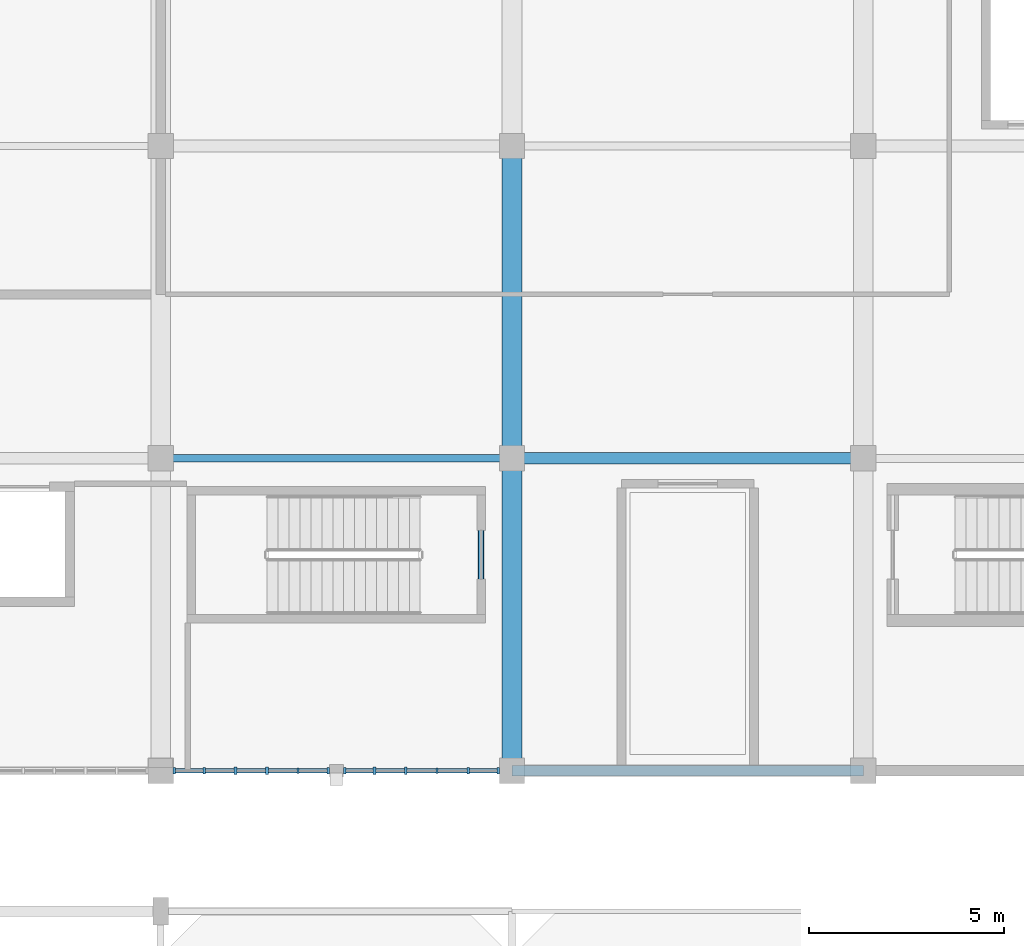
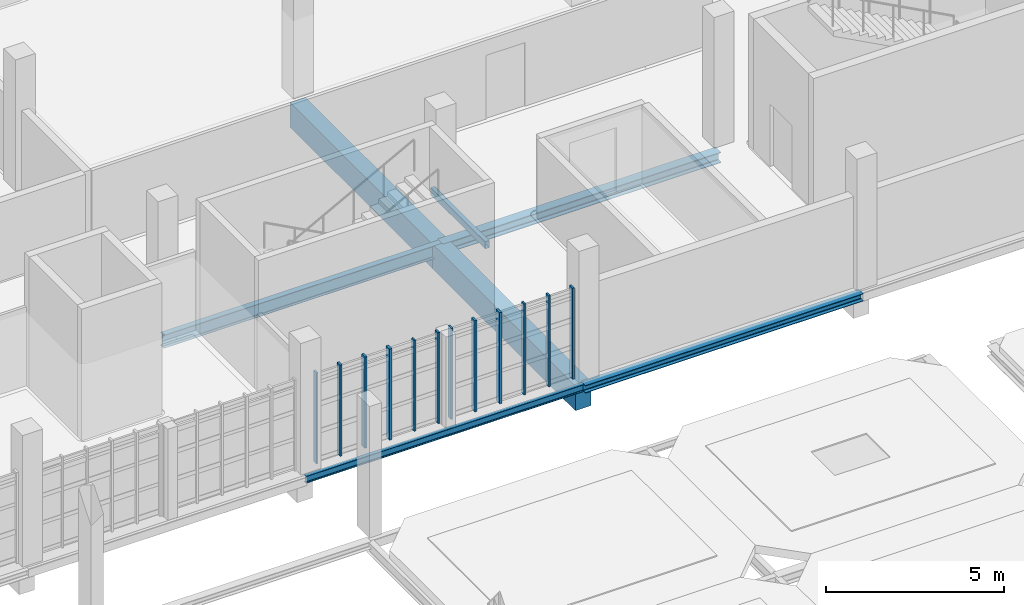
# One storey, part 26 of 125: 12 members, 7 beams, 2 elements without a shape of their own.
"""IFC4 building model written with IfcOpenShell, lengths in metres."""

from ifc_helpers import new_model, si_unit, direction, frame, origin, origin_2d, place, context, subcontext, project, spatial, rectangle, hollow_rectangle, i_section, extrude, material, material_profile, profile_set, type_object, element, aggregate, save


model = new_model("IFC4")

# Units and contexts
model_context = context("Model", 3, precision=1e-05, world=origin(), true_north=direction((0.0, 1.0)))
body_context = subcontext(model_context, "Body", "Model", "MODEL_VIEW")
ifc_project = project(units=[si_unit("LENGTHUNIT", "METRE"), si_unit("AREAUNIT", "SQUARE_METRE"), si_unit("VOLUMEUNIT", "CUBIC_METRE"), si_unit("PLANEANGLEUNIT", "RADIAN"), si_unit("MASSUNIT", "GRAM", prefix="KILO")], contexts=[model_context])

# Site, building, storey
site_placement = place(None, origin())
site = spatial("IfcSite", under=ifc_project, at=site_placement, CompositionType="ELEMENT")
building_placement = place(site_placement, origin())
building = spatial("IfcBuilding", under=site, at=building_placement, Name="Serraforn Aerial Cableway Station", CompositionType="ELEMENT")
storey_placement = place(building_placement, frame((0.0, 0.0, 4.5)))
storey = spatial("IfcBuildingStorey", under=building, at=storey_placement, Name="L01", CompositionType="ELEMENT", Elevation=4.5)

# Beams
ifc_material_1 = material(Name="Concrete C35/45", Category="concrete")
ifc_material_profile_1 = material_profile(ifc_material_1, rectangle(XDim=0.5, YDim=0.85009765625, at=origin_2d()), Name="RC 500x850")
ifc_profile_set_1 = profile_set([ifc_material_profile_1], Name="Concrete C35/45")
beam_type_1 = type_object("IfcBeamType", Name="BM-RC-500x850", PredefinedType="USERDEFINED", material=ifc_profile_set_1)
for number, where, z_axis, x_axis, name in (
    (1, (72.60009765625, 18.0, -0.7451171875), (0.0, 1.0, 0.0), (-1.0, 0.0, 0.0), "Grid Girder Y CV L01 X6-1"),
    (2, (72.60009765625, 26.0, -0.7451171875), (0.0, 1.0, 0.0), (-1.0, 0.0, 0.0), "Grid Girder Y CV L01 X6-2"),
):
    element("IfcBeam", number, at=place(storey_placement, frame(where, z_axis=z_axis, x_axis=x_axis)), inside=storey, type_object=beam_type_1, Name=name, ObjectType="GIRDER", PredefinedType="USERDEFINED", context=body_context, shape_type="SweptSolid", body=[
        extrude(rectangle(XDim=0.5, YDim=0.85009765625, at=origin_2d()), origin(), (0.0, 0.0, 1.0), 8.0),
    ])
ifc_material_2 = material(Name="Steel S355J2", Category="steel")
ifc_material_profile_2 = material_profile(ifc_material_2, i_section(OverallWidth=0.260009765625, OverallDepth=0.260009765625, WebThickness=0.010009765625, FlangeThickness=0.017578125, FilletRadius=0.02392578125, at=origin_2d()), Name="HEB 260")
ifc_profile_set_2 = profile_set([ifc_material_profile_2], Name="Steel S355J2")
beam_type_2 = type_object("IfcBeamType", Name="BM-ST-HEB260", PredefinedType="BEAM", material=ifc_profile_set_2)
beam_1_placement = place(storey_placement, frame((72.60009765625, 18.0, -0.449951171875), z_axis=(1.0, 0.0, 0.0), x_axis=(0.0, 1.0, 0.0)))
element("IfcBeam", 3, at=beam_1_placement, inside=storey, type_object=beam_type_2, Name="Grid Girder X CV L01 Y1-6", PredefinedType="BEAM", context=body_context, shape_type="SweptSolid", body=[
    extrude(i_section(OverallWidth=0.260009765625, OverallDepth=0.260009765625, WebThickness=0.010009765625, FlangeThickness=0.017578125, FilletRadius=0.02392578125, at=origin_2d()), origin(), (0.0, 0.0, 1.0), 9.0),
])
ifc_material_profile_3 = material_profile(ifc_material_2, i_section(OverallWidth=0.300048828125, OverallDepth=0.360107421875, WebThickness=0.012451171875, FlangeThickness=0.0224609375, FilletRadius=0.027099609375, at=origin_2d()), Name="HEB 360")
ifc_profile_set_3 = profile_set([ifc_material_profile_3], Name="Steel S355J2")
beam_type_3 = type_object("IfcBeamType", Name="BM-ST-HEB360", PredefinedType="USERDEFINED", material=ifc_profile_set_3)
beam_2_placement = place(storey_placement, frame((72.60009765625, 26.0, -0.5), z_axis=(1.0, 0.0, 0.0), x_axis=(0.0, 1.0, 0.0)))
element("IfcBeam", 4, at=beam_2_placement, inside=storey, type_object=beam_type_3, Name="Grid Girder X CV L01 Y2-6", ObjectType="GIRDER", PredefinedType="USERDEFINED", context=body_context, shape_type="SweptSolid", body=[
    extrude(i_section(OverallWidth=0.300048828125, OverallDepth=0.360107421875, WebThickness=0.012451171875, FlangeThickness=0.0224609375, FilletRadius=0.027099609375, at=origin_2d()), origin(), (0.0, 0.0, 1.0), 9.0),
])
ifc_material_3 = material(Name="Steel S355JR", Category="steel")
ifc_material_profile_4 = material_profile(ifc_material_3, i_section(OverallWidth=0.1201171875, OverallDepth=0.239990234375, WebThickness=0.006103515625, FlangeThickness=0.009765625, FilletRadius=0.014892578125, at=origin_2d()), Name="IPE 240")
ifc_profile_set_4 = profile_set([ifc_material_profile_4], Name="Steel S355JR")
beam_type_4 = type_object("IfcBeamType", Name="BM-ST-IPE240", PredefinedType="SPANDREL", material=ifc_profile_set_4)
beam_3_placement = place(storey_placement, frame((63.60009765625, 18.0, -0.43994140625), z_axis=(1.0, 0.0, 0.0), x_axis=(0.0, 1.0, 0.0)))
element("IfcBeam", 5, at=beam_3_placement, inside=storey, type_object=beam_type_4, Name="Grid Girder X CV L01 Y1-5", PredefinedType="SPANDREL", context=body_context, shape_type="SweptSolid", body=[
    extrude(i_section(OverallWidth=0.1201171875, OverallDepth=0.239990234375, WebThickness=0.006103515625, FlangeThickness=0.009765625, FilletRadius=0.014892578125, at=origin_2d()), origin(), (0.0, 0.0, 1.0), 9.0),
])
ifc_material_profile_5 = material_profile(ifc_material_3, i_section(OverallWidth=0.18994140625, OverallDepth=0.449951171875, WebThickness=0.009521484375, FlangeThickness=0.0146484375, FilletRadius=0.02099609375, at=origin_2d()), Name="IPE 450")
ifc_profile_set_5 = profile_set([ifc_material_profile_5], Name="Steel S355JR")
beam_type_5 = type_object("IfcBeamType", Name="BM-ST-IPE450", PredefinedType="BEAM", material=ifc_profile_set_5)
beam_4_placement = place(storey_placement, frame((63.60009765625, 26.0, -0.544921875), z_axis=(1.0, 0.0, 0.0), x_axis=(0.0, 1.0, 0.0)))
element("IfcBeam", 6, at=beam_4_placement, inside=storey, type_object=beam_type_5, Name="Grid Girder X CV L01 Y2-5", PredefinedType="BEAM", context=body_context, shape_type="SweptSolid", body=[
    extrude(i_section(OverallWidth=0.18994140625, OverallDepth=0.449951171875, WebThickness=0.009521484375, FlangeThickness=0.0146484375, FilletRadius=0.02099609375, at=origin_2d()), origin(), (0.0, 0.0, 1.0), 9.0),
])
ifc_material_profile_6 = material_profile(ifc_material_2, hollow_rectangle(XDim=0.14990234375, YDim=0.25, WallThickness=0.010009765625, InnerFilletRadius=0.010009765625, OuterFilletRadius=0.02001953125, at=origin_2d()), Name="RHS 250x150x10.0")
ifc_profile_set_6 = profile_set([ifc_material_profile_6], Name="Steel S355J2")
beam_type_6 = type_object("IfcBeamType", Name="BM-ST-RHS250", PredefinedType="LINTEL", material=ifc_profile_set_6)
beam_5_placement = place(storey_placement, frame((71.81005859375, 25.06005859375, 2.27490234375), z_axis=(0.0, -1.0, 0.0), x_axis=(1.0, 0.0, 0.0)))
element("IfcBeam", 7, at=beam_5_placement, inside=storey, type_object=beam_type_6, Name="Stair Core Door Lintel D-S24", PredefinedType="LINTEL", context=body_context, shape_type="SweptSolid", body=[
    extrude(hollow_rectangle(XDim=0.14990234375, YDim=0.25, WallThickness=0.010009765625, InnerFilletRadius=0.010009765625, OuterFilletRadius=0.02001953125, at=origin_2d()), origin(), (0.0, 0.0, 1.0), 3.06005859375),
])

# Curtain wall, member
ifc_material_4 = material(Name="Anodised bronze unitised curtain wall")
curtain_wall_type_1 = type_object("IfcCurtainWallType", Name="CW-SYS-25", PredefinedType="USERDEFINED", material=ifc_material_4)
curtain_wall_1_placement = place(storey_placement, origin())
curtain_wall_1 = element("IfcCurtainWall", 8, at=curtain_wall_1_placement, inside=storey, type_object=curtain_wall_type_1, Name="Unitised Curtain Wall CW-CV-L01-S5A", ObjectType="UNITISED CURTAIN WALL", PredefinedType="USERDEFINED")
ifc_material_5 = material(Name="Anodised bronze extruded aluminium", Category="aluminium")
ifc_material_profile_7 = material_profile(ifc_material_5, rectangle(XDim=0.054931640625, YDim=0.139892578125, at=origin_2d()), Name="CW MULLION 55x140")
ifc_profile_set_7 = profile_set([ifc_material_profile_7], Name="Anodised bronze extruded aluminium")
member_type_1 = type_object("IfcMemberType", Name="CW-MUL-1", PredefinedType="MULLION", material=ifc_profile_set_7)
member_1_placement = place(storey_placement, frame((67.12060546875, 18.0, 0.0), z_axis=(0.0, 0.0, 1.0), x_axis=(1.0, 0.0, 0.0)))
member_1 = element("IfcMember", 9, at=member_1_placement, type_object=member_type_1, Name="Curtain Wall Mullion CW-CV-L01-S5A-M5", PredefinedType="MULLION", context=body_context, shape_type="SweptSolid", body=[
    extrude(rectangle(XDim=0.054931640625, YDim=0.139892578125, at=origin_2d()), origin(), (0.0, 0.0, 1.0), 3.1201171875),
])

curtain_wall_type_2 = type_object("IfcCurtainWallType", Name="CW-SYS-26", PredefinedType="USERDEFINED", material=ifc_material_4)
curtain_wall_2_placement = place(storey_placement, origin())
curtain_wall_2 = element("IfcCurtainWall", 10, at=curtain_wall_2_placement, inside=storey, type_object=curtain_wall_type_2, Name="Unitised Curtain Wall CW-CV-L01-S5B", ObjectType="UNITISED CURTAIN WALL", PredefinedType="USERDEFINED")
member_2_placement = place(storey_placement, frame((70.67822265625, 18.0, 0.0), z_axis=(0.0, 0.0, 1.0), x_axis=(1.0, 0.0, 0.0)))
member_2 = element("IfcMember", 11, at=member_2_placement, type_object=member_type_1, Name="Curtain Wall Mullion CW-CV-L01-S5B-M4", PredefinedType="MULLION", context=body_context, shape_type="SweptSolid", body=[
    extrude(rectangle(XDim=0.054931640625, YDim=0.139892578125, at=origin_2d()), origin(), (0.0, 0.0, 1.0), 3.1201171875),
])

# Member
ifc_material_profile_8 = material_profile(ifc_material_5, rectangle(XDim=0.06005859375, YDim=0.159912109375, at=origin_2d()), Name="CW MULLION 60x160")
ifc_profile_set_8 = profile_set([ifc_material_profile_8], Name="Anodised bronze extruded aluminium")
member_type_2 = type_object("IfcMemberType", Name="CW-MUL-2", PredefinedType="MULLION", material=ifc_profile_set_8)
member_3_placement = place(storey_placement, frame((63.952880859375, 18.0, 0.0), z_axis=(0.0, 0.0, 1.0), x_axis=(1.0, 0.0, 0.0)))
member_3 = element("IfcMember", 12, at=member_3_placement, type_object=member_type_2, Name="Curtain Wall Mullion CW-CV-L01-S5A-M1", PredefinedType="MULLION", context=body_context, shape_type="SweptSolid", body=[
    extrude(rectangle(XDim=0.06005859375, YDim=0.159912109375, at=origin_2d()), origin(), (0.0, 0.0, 1.0), 3.1201171875),
])

member_4_placement = place(storey_placement, frame((67.889892578125, 18.0, 0.0), z_axis=(0.0, 0.0, 1.0), x_axis=(1.0, 0.0, 0.0)))
member_4 = element("IfcMember", 13, at=member_4_placement, type_object=member_type_2, Name="Curtain Wall Mullion CW-CV-L01-S5A-M6", PredefinedType="MULLION", context=body_context, shape_type="SweptSolid", body=[
    extrude(rectangle(XDim=0.06005859375, YDim=0.159912109375, at=origin_2d()), origin(), (0.0, 0.0, 1.0), 3.1201171875),
])

member_5_placement = place(storey_placement, frame((71.4775390625, 18.0, 0.0), z_axis=(0.0, 0.0, 1.0), x_axis=(1.0, 0.0, 0.0)))
member_5 = element("IfcMember", 14, at=member_5_placement, type_object=member_type_2, Name="Curtain Wall Mullion CW-CV-L01-S5B-M5", PredefinedType="MULLION", context=body_context, shape_type="SweptSolid", body=[
    extrude(rectangle(XDim=0.06005859375, YDim=0.159912109375, at=origin_2d()), origin(), (0.0, 0.0, 1.0), 3.1201171875),
])

ifc_material_profile_9 = material_profile(ifc_material_5, rectangle(XDim=0.06494140625, YDim=0.175048828125, at=origin_2d()), Name="CW MULLION 65x175")
ifc_profile_set_9 = profile_set([ifc_material_profile_9], Name="Anodised bronze extruded aluminium")
member_type_3 = type_object("IfcMemberType", Name="CW-MUL-3", PredefinedType="MULLION", material=ifc_profile_set_9)
member_6_placement = place(storey_placement, frame((64.722412109375, 18.0, 0.0), z_axis=(0.0, 0.0, 1.0), x_axis=(1.0, 0.0, 0.0)))
member_6 = element("IfcMember", 15, at=member_6_placement, type_object=member_type_3, Name="Curtain Wall Mullion CW-CV-L01-S5A-M2", PredefinedType="MULLION", context=body_context, shape_type="SweptSolid", body=[
    extrude(rectangle(XDim=0.06494140625, YDim=0.175048828125, at=origin_2d()), origin(), (0.0, 0.0, 1.0), 3.1201171875),
])

member_7_placement = place(storey_placement, frame((68.3125, 18.0, 0.0), z_axis=(0.0, 0.0, 1.0), x_axis=(1.0, 0.0, 0.0)))
member_7 = element("IfcMember", 16, at=member_7_placement, type_object=member_type_3, Name="Curtain Wall Mullion CW-CV-L01-S5B-M1", PredefinedType="MULLION", context=body_context, shape_type="SweptSolid", body=[
    extrude(rectangle(XDim=0.06494140625, YDim=0.175048828125, at=origin_2d()), origin(), (0.0, 0.0, 1.0), 3.1201171875),
])

member_8_placement = place(storey_placement, frame((72.244384765625, 18.0, 0.0), z_axis=(0.0, 0.0, 1.0), x_axis=(1.0, 0.0, 0.0)))
member_8 = element("IfcMember", 17, at=member_8_placement, type_object=member_type_3, Name="Curtain Wall Mullion CW-CV-L01-S5B-M6", PredefinedType="MULLION", context=body_context, shape_type="SweptSolid", body=[
    extrude(rectangle(XDim=0.06494140625, YDim=0.175048828125, at=origin_2d()), origin(), (0.0, 0.0, 1.0), 3.1201171875),
])

ifc_material_profile_10 = material_profile(ifc_material_5, rectangle(XDim=0.070068359375, YDim=0.18994140625, at=origin_2d()), Name="CW MULLION 70x190")
ifc_profile_set_10 = profile_set([ifc_material_profile_10], Name="Anodised bronze extruded aluminium")
member_type_4 = type_object("IfcMemberType", Name="CW-MUL-4", PredefinedType="MULLION", material=ifc_profile_set_10)
member_9_placement = place(storey_placement, frame((65.521728515625, 18.0, 0.0), z_axis=(0.0, 0.0, 1.0), x_axis=(1.0, 0.0, 0.0)))
member_9 = element("IfcMember", 18, at=member_9_placement, type_object=member_type_4, Name="Curtain Wall Mullion CW-CV-L01-S5A-M3", PredefinedType="MULLION", context=body_context, shape_type="SweptSolid", body=[
    extrude(rectangle(XDim=0.070068359375, YDim=0.18994140625, at=origin_2d()), origin(), (0.0, 0.0, 1.0), 3.1201171875),
])

member_10_placement = place(storey_placement, frame((69.079345703125, 18.0, 0.0), z_axis=(0.0, 0.0, 1.0), x_axis=(1.0, 0.0, 0.0)))
member_10 = element("IfcMember", 19, at=member_10_placement, type_object=member_type_4, Name="Curtain Wall Mullion CW-CV-L01-S5B-M2", PredefinedType="MULLION", context=body_context, shape_type="SweptSolid", body=[
    extrude(rectangle(XDim=0.070068359375, YDim=0.18994140625, at=origin_2d()), origin(), (0.0, 0.0, 1.0), 3.1201171875),
])

ifc_material_profile_11 = material_profile(ifc_material_5, rectangle(XDim=0.074951171875, YDim=0.199951171875, at=origin_2d()), Name="CW MULLION 75x200")
ifc_profile_set_11 = profile_set([ifc_material_profile_11], Name="Anodised bronze extruded aluminium")
member_type_5 = type_object("IfcMemberType", Name="CW-MUL-5", PredefinedType="MULLION", material=ifc_profile_set_11)
member_11_placement = place(storey_placement, frame((66.3212890625, 18.0, 0.0), z_axis=(0.0, 0.0, 1.0), x_axis=(1.0, 0.0, 0.0)))
member_11 = element("IfcMember", 20, at=member_11_placement, type_object=member_type_5, Name="Curtain Wall Mullion CW-CV-L01-S5A-M4", PredefinedType="MULLION", context=body_context, shape_type="SweptSolid", body=[
    extrude(rectangle(XDim=0.074951171875, YDim=0.199951171875, at=origin_2d()), origin(), (0.0, 0.0, 1.0), 3.1201171875),
])

aggregate(curtain_wall_1, [member_3, member_6, member_9, member_11, member_1, member_4])

member_12_placement = place(storey_placement, frame((69.87890625, 18.0, 0.0), z_axis=(0.0, 0.0, 1.0), x_axis=(1.0, 0.0, 0.0)))
member_12 = element("IfcMember", 21, at=member_12_placement, type_object=member_type_5, Name="Curtain Wall Mullion CW-CV-L01-S5B-M3", PredefinedType="MULLION", context=body_context, shape_type="SweptSolid", body=[
    extrude(rectangle(XDim=0.074951171875, YDim=0.199951171875, at=origin_2d()), origin(), (0.0, 0.0, 1.0), 3.1201171875),
])

aggregate(curtain_wall_2, [member_7, member_10, member_12, member_2, member_5, member_8])

save(model, "model.ifc")
